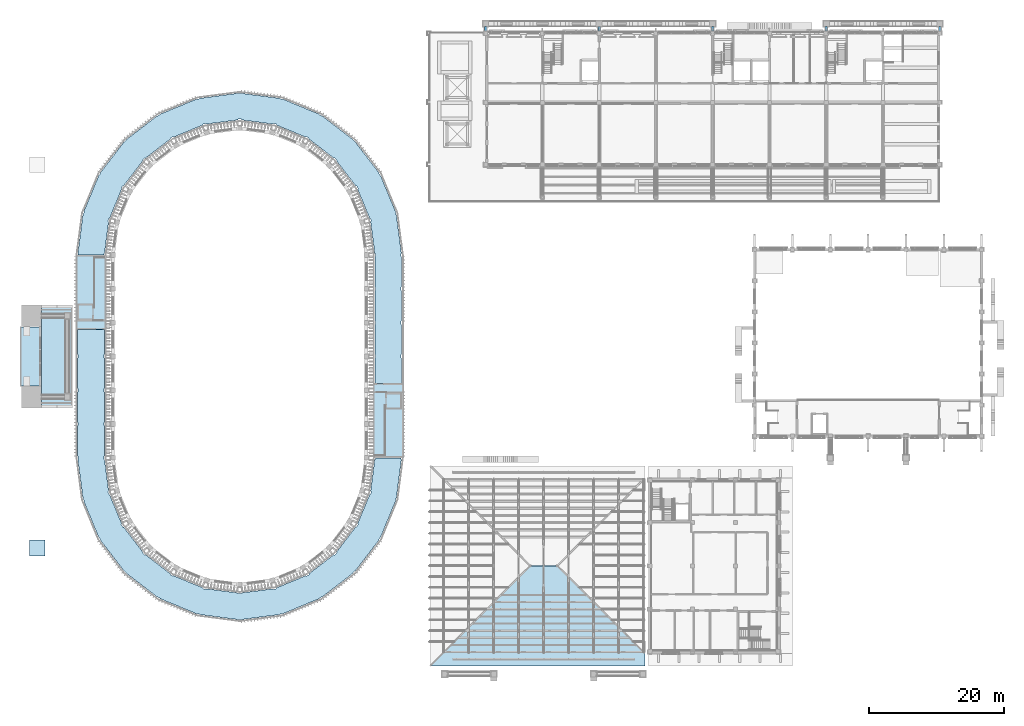
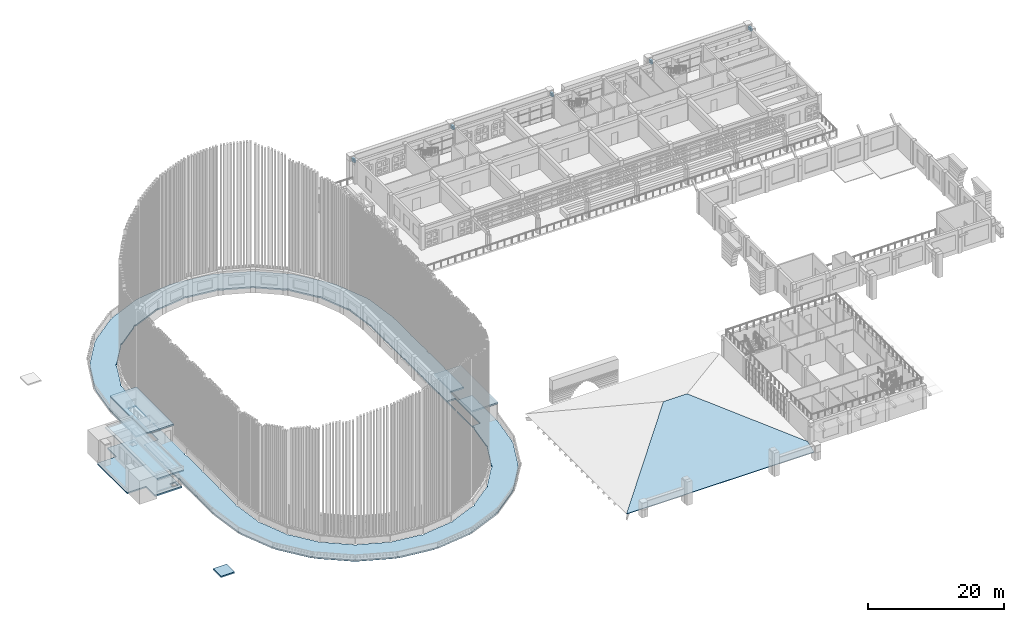
# One storey, part 17 of 68: 7 slabs, 5 beams.
"""IFC4 building model written with IfcOpenShell, lengths in metres."""

from ifc_helpers import new_model, si_unit, direction, frame, origin, origin_2d, place, context, subcontext, project, spatial, polyline, rectangle, outline, extrude, material, layer, layer_set, material_profile, profile_set, type_object, element, save


model = new_model("IFC4")

# Units and contexts
model_context = context("Model", 3, precision=1e-05, world=origin(), true_north=direction((0.0, 1.0)))
body_context = subcontext(model_context, "Body", "Model", "MODEL_VIEW")
ifc_project = project(units=[si_unit("LENGTHUNIT", "METRE"), si_unit("AREAUNIT", "SQUARE_METRE"), si_unit("VOLUMEUNIT", "CUBIC_METRE"), si_unit("PLANEANGLEUNIT", "RADIAN"), si_unit("MASSUNIT", "GRAM", prefix="KILO")], contexts=[model_context])

# Site, building, storey
site_placement = place(None, origin())
site = spatial("IfcSite", under=ifc_project, at=site_placement, CompositionType="ELEMENT")
building_placement = place(site_placement, origin())
building = spatial("IfcBuilding", under=site, at=building_placement, Name="Wasatch Bagh Community Centre", CompositionType="ELEMENT")
storey_placement = place(building_placement, frame((0.0, 0.0, 8.39990234375)))
storey = spatial("IfcBuildingStorey", under=building, at=storey_placement, Name="L02", CompositionType="ELEMENT", Elevation=8.39990234375)

# Beams
ifc_material_1 = material(Name="Concrete C35", Category="concrete")
ifc_material_profile = material_profile(ifc_material_1, rectangle(XDim=0.35009765625, YDim=0.60009765625, at=origin_2d()), Name="RC 350x600")
ifc_profile_set = profile_set([ifc_material_profile], Name="Concrete C35")
beam_type = type_object("IfcBeamType", Name="CL-B4", PredefinedType="BEAM", material=ifc_profile_set)
for number, where, z_axis, x_axis, name in (
    (1, (72.39990234375, 98.14990234375, 3.7001953125), (0.0, 1.0, 0.0), (-1.0, 0.0, 0.0), "CL-B4 tie LWP02.3"),
    (2, (89.199951171875, 98.14990234375, 3.7001953125), (0.0, 1.0, 0.0), (-1.0, 0.0, 0.0), "CL-B4 tie LWP03.3"),
    (3, (106.0, 98.14990234375, 3.7001953125), (0.0, 1.0, 0.0), (-1.0, 0.0, 0.0), "CL-B4 tie LWP04.3"),
    (4, (122.800048828125, 98.14990234375, 3.7001953125), (0.0, 1.0, 0.0), (-1.0, 0.0, 0.0), "CL-B4 tie LWP05.3"),
    (5, (139.60009765625, 98.14990234375, 3.7001953125), (0.0, 1.0, 0.0), (-1.0, 0.0, 0.0), "CL-B4 tie LWP06.3"),
):
    element("IfcBeam", number, at=place(storey_placement, frame(where, z_axis=z_axis, x_axis=x_axis)), inside=storey, type_object=beam_type, Name=name, PredefinedType="BEAM", context=body_context, shape_type="SweptSolid", body=[
        extrude(rectangle(XDim=0.35009765625, YDim=0.60009765625, at=origin_2d()), origin(), (0.0, 0.0, 1.0), 0.650146484375),
    ])

# Slabs
ifc_layer_1 = layer(ifc_material_1, 0.25)
ifc_layer_set_1 = layer_set([ifc_layer_1], Name="Concrete C35")
slab_type_1 = type_object("IfcSlabType", Name="CP-S1", PredefinedType="ROOF", material=ifc_layer_set_1)
slab_1_placement = place(storey_placement, origin())
element("IfcSlab", 6, at=slab_1_placement, inside=storey, type_object=slab_type_1, Name="CP-S1 canopy roof slab", PredefinedType="ROOF", context=body_context, shape_type="SweptSolid", body=[
    extrude(outline(polyline([(11.25, 57.0), (11.25, 43.0), (6.719970703125, 43.0), (6.719970703125, 45.6201171875), (3.5, 45.6201171875), (3.5, 54.3798828125), (6.719970703125, 54.3798828125), (6.719970703125, 57.0), (11.25, 57.0)]), holes=[polyline([(10.030029296875, 43.530029296875), (10.969970703125, 43.530029296875), (10.969970703125, 44.469970703125), (10.030029296875, 44.469970703125), (10.030029296875, 43.530029296875)]), polyline([(10.030029296875, 55.530029296875), (10.969970703125, 55.530029296875), (10.969970703125, 56.469970703125), (10.030029296875, 56.469970703125), (10.030029296875, 55.530029296875)])]), origin(), (0.0, 0.0, 1.0), 0.25),
])
slab_2_placement = place(storey_placement, frame((0.0, 0.0, 3.35009765625)))
element("IfcSlab", 7, at=slab_2_placement, inside=storey, type_object=slab_type_1, Name="CP-S1 portal porch roof slab", PredefinedType="ROOF", context=body_context, shape_type="SweptSolid", body=[
    extrude(outline(polyline([(6.699951171875, 42.39990234375), (11.25, 42.39990234375), (11.25, 57.60009765625), (6.699951171875, 57.60009765625), (6.699951171875, 42.39990234375)])), origin(), (0.0, 0.0, 1.0), 0.25),
])
ifc_layer_2 = layer(ifc_material_1, 0.25)
ifc_layer_set_2 = layer_set([ifc_layer_2], Name="Concrete C35")
slab_type_2 = type_object("IfcSlabType", Name="CT-S2", PredefinedType="ROOF", material=ifc_layer_set_2)
slab_3_placement = place(storey_placement, frame((0.0, 0.0, -0.25)))
element("IfcSlab", 8, at=slab_3_placement, inside=storey, type_object=slab_type_2, Name="LC1 shaft roof", PredefinedType="ROOF", context=body_context, shape_type="SweptSolid", body=[
    extrude(outline(polyline([(4.89990234375, 20.5), (7.199951171875, 20.5), (7.199951171875, 22.800048828125), (4.89990234375, 22.800048828125), (4.89990234375, 20.5)])), origin(), (0.0, 0.0, 1.0), 0.25),
])
ifc_material_2 = material(Name="ASTM A653 Grade 50 steel roof deck assembly", Category="steel")
ifc_layer_3 = layer(ifc_material_2, 0.14990234375)
ifc_layer_set_3 = layer_set([ifc_layer_3], Name="ASTM A653 Grade 50 steel roof deck assembly")
slab_type_3 = type_object("IfcSlabType", Name="DH roof deck 150", PredefinedType="ROOF", material=ifc_layer_set_3)
slab_4_placement = place(storey_placement, frame((64.199951171875, 4.199951171875, 0.30419921875), z_axis=(-2.58954e-07, -0.374600558418, 0.927186292841), x_axis=(1.0, -9.7004e-08, 2.40099e-07)))
element("IfcSlab", 9, at=slab_4_placement, inside=storey, type_object=slab_type_3, Name="DH.roof.S", PredefinedType="ROOF", context=body_context, shape_type="SweptSolid", body=[
    extrude(outline(polyline([(0.0, 0.0), (31.780029296873934, 4.2060518561187565e-22), (31.780029296876332, 1.9630055407928293), (18.8000488281235, 15.96232351931405), (14.800048828123634, 15.96232351931405), (0.0, 0.0)])), origin(), (0.0, 0.0, -1.0), 0.14990234375),
])
ifc_layer_4 = layer(ifc_material_1, 0.260009765625)
ifc_layer_set_4 = layer_set([ifc_layer_4], Name="Concrete C35")
slab_type_4 = type_object("IfcSlabType", Name="Drum stair head roof 260", PredefinedType="ROOF", material=ifc_layer_set_4)
slab_5_placement = place(storey_placement, frame((0.0, 0.0, 2.739990234375)))
element("IfcSlab", 10, at=slab_5_placement, inside=storey, type_object=slab_type_4, Name="Stair head roof SE", PredefinedType="ROOF", context=body_context, shape_type="SweptSolid", body=[
    extrude(outline(polyline([(55.75, 35.0), (60.25, 35.0), (60.25, 46.0), (55.75, 46.0), (55.75, 35.0)])), origin(), (0.0, 0.0, 1.0), 0.260009765625),
])
slab_6_placement = place(storey_placement, frame((0.0, 0.0, 2.739990234375)))
element("IfcSlab", 11, at=slab_6_placement, inside=storey, type_object=slab_type_4, Name="Stair head roof NW", PredefinedType="ROOF", context=body_context, shape_type="SweptSolid", body=[
    extrude(outline(polyline([(16.25, 65.0), (11.75, 65.0), (11.75, 54.0), (16.25, 54.0), (16.25, 65.0)])), origin(), (0.0, 0.0, 1.0), 0.260009765625),
])
ifc_layer_5 = layer(ifc_material_1, 0.25)
ifc_layer_set_5 = layer_set([ifc_layer_5], Name="Concrete C35")
slab_type_5 = type_object("IfcSlabType", Name="Drum terrace slab 250", PredefinedType="FLOOR", material=ifc_layer_set_5)
slab_7_placement = place(storey_placement, frame((0.0, 0.0, -0.25)))
element("IfcSlab", 12, at=slab_7_placement, inside=storey, type_object=slab_type_5, Name="Drum roof terrace", PredefinedType="FLOOR", context=body_context, shape_type="SweptSolid", body=[
    extrude(outline(polyline([(15.141845703125, 76.75390625), (15.177001953125, 76.7333984375), (15.427001953125, 77.16650390625), (15.391845703125, 77.186767578125), (18.894775390625, 81.751708984375), (18.92333984375, 81.72314453125), (19.27685546875, 82.07666015625), (19.248291015625, 82.105224609375), (23.813232421875, 85.608154296875), (23.83349609375, 85.572998046875), (24.2666015625, 85.822998046875), (24.24609375, 85.858154296875), (29.562255859375, 88.06005859375), (29.57275390625, 88.02099609375), (30.0556640625, 88.150390625), (30.045166015625, 88.189453125), (35.75, 88.940673828125), (35.75, 88.89990234375), (36.25, 88.89990234375), (36.25, 88.940673828125), (41.954833984375, 88.189453125), (41.9443359375, 88.150390625), (42.42724609375, 88.02099609375), (42.437744140625, 88.06005859375), (47.75390625, 85.858154296875), (47.7333984375, 85.822998046875), (48.16650390625, 85.572998046875), (48.186767578125, 85.608154296875), (52.751708984375, 82.105224609375), (52.72314453125, 82.07666015625), (53.07666015625, 81.72314453125), (53.105224609375, 81.751708984375), (56.608154296875, 77.186767578125), (56.572998046875, 77.16650390625), (56.822998046875, 76.7333984375), (56.858154296875, 76.75390625), (59.06005859375, 71.437744140625), (59.02099609375, 71.42724609375), (59.150390625, 70.9443359375), (59.189453125, 70.954833984375), (59.940673828125, 65.25), (59.89990234375, 65.25), (59.89990234375, 64.75), (59.97509765625, 64.75), (59.97509765625, 60.25), (59.89990234375, 60.25), (59.89990234375, 59.75), (59.97509765625, 59.75), (59.97509765625, 55.25), (59.89990234375, 55.25), (59.89990234375, 54.75), (59.97509765625, 54.75), (59.97509765625, 50.25), (59.89990234375, 50.25), (59.89990234375, 49.75), (59.97509765625, 49.75), (59.97509765625, 45.25), (59.89990234375, 45.25), (59.89990234375, 44.75), (59.97509765625, 44.75), (59.97509765625, 44.60009765625), (57.574951171875, 44.60009765625), (57.574951171875, 42.199951171875), (59.97509765625, 42.199951171875), (59.97509765625, 40.25), (59.89990234375, 40.25), (59.89990234375, 39.75), (59.97509765625, 39.75), (59.97509765625, 35.25), (59.89990234375, 35.25), (59.89990234375, 34.75), (59.940673828125, 34.75), (59.189453125, 29.045166015625), (59.150390625, 29.0556640625), (59.02099609375, 28.57275390625), (59.06005859375, 28.562255859375), (56.858154296875, 23.24609375), (56.822998046875, 23.2666015625), (56.572998046875, 22.83349609375), (56.608154296875, 22.813232421875), (53.105224609375, 18.248291015625), (53.07666015625, 18.27685546875), (52.72314453125, 17.92333984375), (52.751708984375, 17.894775390625), (48.186767578125, 14.391845703125), (48.16650390625, 14.427001953125), (47.7333984375, 14.177001953125), (47.75390625, 14.141845703125), (42.437744140625, 11.93994140625), (42.42724609375, 11.97900390625), (41.9443359375, 11.849609375), (41.954833984375, 11.810546875), (36.25, 11.059326171875), (36.25, 11.10009765625), (35.75, 11.10009765625), (35.75, 11.059326171875), (30.045166015625, 11.810546875), (30.0556640625, 11.849609375), (29.57275390625, 11.97900390625), (29.562255859375, 11.93994140625), (24.24609375, 14.141845703125), (24.2666015625, 14.177001953125), (23.83349609375, 14.427001953125), (23.813232421875, 14.391845703125), (19.248291015625, 17.894775390625), (19.27685546875, 17.92333984375), (18.92333984375, 18.27685546875), (18.894775390625, 18.248291015625), (15.391845703125, 22.813232421875), (15.427001953125, 22.83349609375), (15.177001953125, 23.2666015625), (15.141845703125, 23.24609375), (12.93994140625, 28.562255859375), (12.97900390625, 28.57275390625), (12.849609375, 29.0556640625), (12.810546875, 29.045166015625), (12.059326171875, 34.75), (12.10009765625, 34.75), (12.10009765625, 35.25), (12.02490234375, 35.25), (12.02490234375, 39.75), (12.10009765625, 39.75), (12.10009765625, 40.25), (12.02490234375, 40.25), (12.02490234375, 44.75), (12.10009765625, 44.75), (12.10009765625, 45.25), (12.02490234375, 45.25), (12.02490234375, 49.75), (12.10009765625, 49.75), (12.10009765625, 50.25), (12.02490234375, 50.25), (12.02490234375, 54.75), (12.10009765625, 54.75), (12.10009765625, 55.25), (12.02490234375, 55.25), (12.02490234375, 55.39990234375), (14.425048828125, 55.39990234375), (14.425048828125, 57.800048828125), (12.02490234375, 57.800048828125), (12.02490234375, 59.75), (12.10009765625, 59.75), (12.10009765625, 60.25), (12.02490234375, 60.25), (12.02490234375, 64.75), (12.10009765625, 64.75), (12.10009765625, 65.25), (12.059326171875, 65.25), (12.810546875, 70.954833984375), (12.849609375, 70.9443359375), (12.97900390625, 71.42724609375), (12.93994140625, 71.437744140625), (15.141845703125, 76.75390625)]), holes=[polyline([(21.685546875, 21.039306640625), (21.6103515625, 20.9638671875), (21.9638671875, 20.6103515625), (22.039306640625, 20.685546875), (25.78662109375, 17.81005859375), (25.7333984375, 17.718017578125), (26.16650390625, 17.468017578125), (26.2197265625, 17.56005859375), (30.583740234375, 15.75244140625), (30.556396484375, 15.649658203125), (31.039306640625, 15.520263671875), (31.06689453125, 15.623046875), (35.75, 15.00634765625), (35.75, 14.89990234375), (36.25, 14.89990234375), (36.25, 15.00634765625), (40.93310546875, 15.623046875), (40.960693359375, 15.520263671875), (41.443603515625, 15.649658203125), (41.416259765625, 15.75244140625), (45.7802734375, 17.56005859375), (45.83349609375, 17.468017578125), (46.2666015625, 17.718017578125), (46.21337890625, 17.81005859375), (49.960693359375, 20.685546875), (50.0361328125, 20.6103515625), (50.3896484375, 20.9638671875), (50.314453125, 21.039306640625), (53.18994140625, 24.78662109375), (53.281982421875, 24.7333984375), (53.531982421875, 25.16650390625), (53.43994140625, 25.2197265625), (55.24755859375, 29.583740234375), (55.350341796875, 29.556396484375), (55.479736328125, 30.039306640625), (55.376953125, 30.06689453125), (55.99365234375, 34.75), (56.10009765625, 34.75), (56.10009765625, 35.25), (56.02490234375, 35.25), (56.02490234375, 39.75), (56.074951171875, 39.75), (56.074951171875, 35.419921875), (57.47509765625, 35.419921875), (57.47509765625, 42.739990234375), (56.074951171875, 42.739990234375), (56.074951171875, 40.25), (56.02490234375, 40.25), (56.02490234375, 44.75), (56.10009765625, 44.75), (56.10009765625, 45.25), (56.02490234375, 45.25), (56.02490234375, 49.75), (56.10009765625, 49.75), (56.10009765625, 50.25), (56.02490234375, 50.25), (56.02490234375, 54.75), (56.10009765625, 54.75), (56.10009765625, 55.25), (56.02490234375, 55.25), (56.02490234375, 59.75), (56.10009765625, 59.75), (56.10009765625, 60.25), (56.02490234375, 60.25), (56.02490234375, 64.75), (56.10009765625, 64.75), (56.10009765625, 65.25), (55.99365234375, 65.25), (55.376953125, 69.93310546875), (55.479736328125, 69.960693359375), (55.350341796875, 70.443603515625), (55.24755859375, 70.416259765625), (53.43994140625, 74.7802734375), (53.531982421875, 74.83349609375), (53.281982421875, 75.2666015625), (53.18994140625, 75.21337890625), (50.314453125, 78.960693359375), (50.3896484375, 79.0361328125), (50.0361328125, 79.3896484375), (49.960693359375, 79.314453125), (46.21337890625, 82.18994140625), (46.2666015625, 82.281982421875), (45.83349609375, 82.531982421875), (45.7802734375, 82.43994140625), (41.416259765625, 84.24755859375), (41.443603515625, 84.350341796875), (40.960693359375, 84.479736328125), (40.93310546875, 84.376953125), (36.25, 84.99365234375), (36.25, 85.10009765625), (35.75, 85.10009765625), (35.75, 84.99365234375), (31.06689453125, 84.376953125), (31.039306640625, 84.479736328125), (30.556396484375, 84.350341796875), (30.583740234375, 84.24755859375), (26.2197265625, 82.43994140625), (26.16650390625, 82.531982421875), (25.7333984375, 82.281982421875), (25.78662109375, 82.18994140625), (22.039306640625, 79.314453125), (21.9638671875, 79.3896484375), (21.6103515625, 79.0361328125), (21.685546875, 78.960693359375), (18.81005859375, 75.21337890625), (18.718017578125, 75.2666015625), (18.468017578125, 74.83349609375), (18.56005859375, 74.7802734375), (16.75244140625, 70.416259765625), (16.649658203125, 70.443603515625), (16.520263671875, 69.960693359375), (16.623046875, 69.93310546875), (16.00634765625, 65.25), (15.89990234375, 65.25), (15.89990234375, 64.75), (15.97509765625, 64.75), (15.97509765625, 60.25), (15.925048828125, 60.25), (15.925048828125, 64.580078125), (14.52490234375, 64.580078125), (14.52490234375, 57.260009765625), (15.925048828125, 57.260009765625), (15.925048828125, 59.75), (15.97509765625, 59.75), (15.97509765625, 55.25), (15.89990234375, 55.25), (15.89990234375, 54.75), (15.97509765625, 54.75), (15.97509765625, 50.25), (15.89990234375, 50.25), (15.89990234375, 49.75), (15.97509765625, 49.75), (15.97509765625, 45.25), (15.89990234375, 45.25), (15.89990234375, 44.75), (15.97509765625, 44.75), (15.97509765625, 40.25), (15.89990234375, 40.25), (15.89990234375, 39.75), (15.97509765625, 39.75), (15.97509765625, 35.25), (15.89990234375, 35.25), (15.89990234375, 34.75), (16.00634765625, 34.75), (16.623046875, 30.06689453125), (16.520263671875, 30.039306640625), (16.649658203125, 29.556396484375), (16.75244140625, 29.583740234375), (18.56005859375, 25.2197265625), (18.468017578125, 25.16650390625), (18.718017578125, 24.7333984375), (18.81005859375, 24.78662109375), (21.685546875, 21.039306640625)])]), origin(), (0.0, 0.0, 1.0), 0.25),
])

save(model, "model.ifc")
